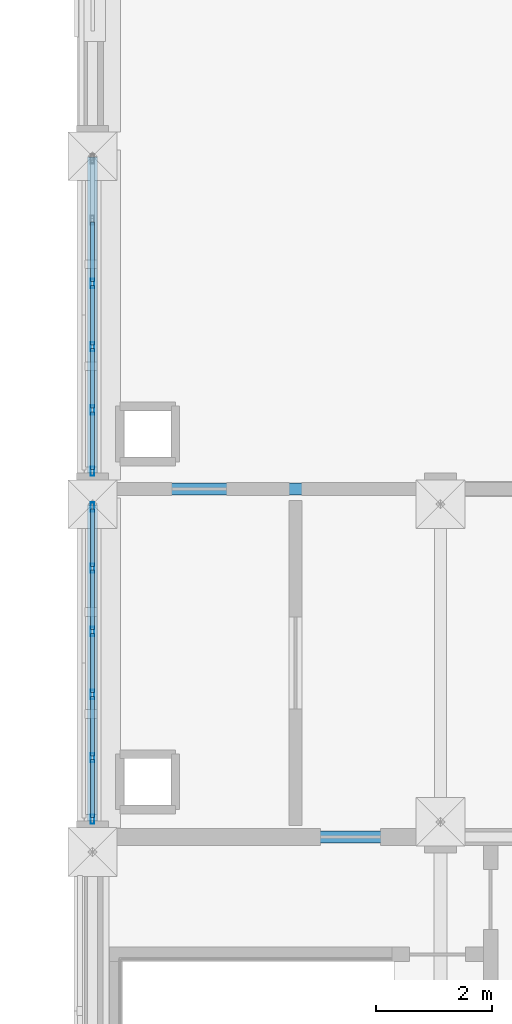
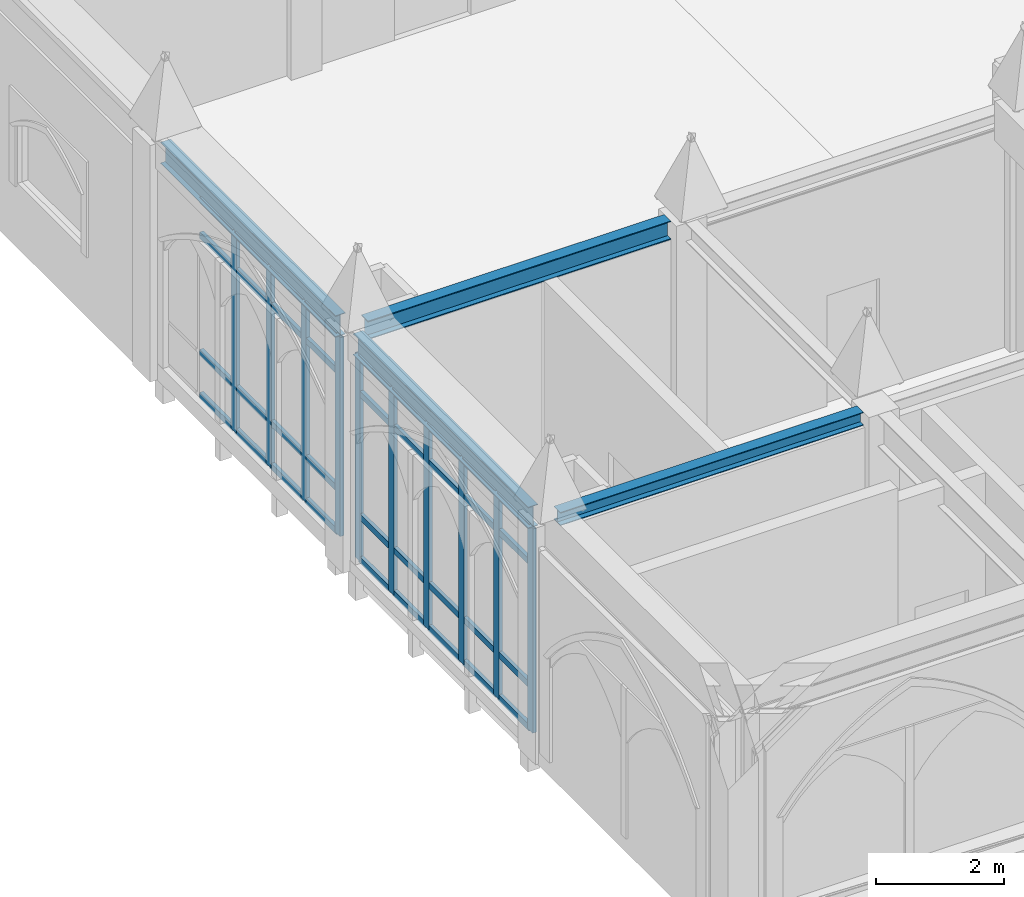
# One storey, part 37 of 108: 46 members, 4 beams, 2 elements without a shape of their own.
"""IFC4 building model written with IfcOpenShell, lengths in metres."""

from ifc_helpers import new_model, si_unit, direction, frame, origin, origin_2d, place, context, subcontext, project, spatial, hollow_rectangle, i_section, extrude, material, layer, layer_set, material_profile, profile_set, type_object, element, aggregate, save


model = new_model("IFC4")

# Units and contexts
model_context = context("Model", 3, precision=1e-05, world=origin(), true_north=direction((0.0, 1.0)))
body_context = subcontext(model_context, "Body", "Model", "MODEL_VIEW")
ifc_project = project(units=[si_unit("LENGTHUNIT", "METRE"), si_unit("AREAUNIT", "SQUARE_METRE"), si_unit("VOLUMEUNIT", "CUBIC_METRE"), si_unit("PLANEANGLEUNIT", "RADIAN"), si_unit("MASSUNIT", "GRAM", prefix="KILO")], contexts=[model_context])

# Site, building, storey
site_placement = place(None, origin())
site = spatial("IfcSite", under=ifc_project, at=site_placement, CompositionType="ELEMENT")
building_placement = place(site_placement, origin())
building = spatial("IfcBuilding", under=site, at=building_placement, Name="Cumevento Cable Car Station", CompositionType="ELEMENT")
storey_placement = place(building_placement, frame((0.0, 0.0, 13.5)))
storey = spatial("IfcBuildingStorey", under=building, at=storey_placement, Name="L04", CompositionType="ELEMENT", Elevation=13.5)

# Curtain wall, members
ifc_material_1 = material(Name="Anodised Bronze Aluminium AW-6063-T6", Category="aluminium")
ifc_layer_1 = layer(ifc_material_1, 0.166015625)
ifc_layer_set_1 = layer_set([ifc_layer_1], Name="Anodised Bronze Aluminium AW-6063-T6")
curtain_wall_type_1 = type_object("IfcCurtainWallType", Name="Lancet Curtain Wall CW-02 1090", PredefinedType="NOTDEFINED", material=ifc_layer_set_1)
curtain_wall_1_placement = place(storey_placement, origin())
curtain_wall_1 = element("IfcCurtainWall", 1, at=curtain_wall_1_placement, inside=storey, type_object=curtain_wall_type_1, Name="Lancet Curtain Wall CW-02 L04 #177", PredefinedType="NOTDEFINED")
ifc_material_2 = material(Name="Anodised Bronze Aluminium AW-6063-T6", Category="aluminium")
ifc_material_profile_1 = material_profile(ifc_material_2, hollow_rectangle(XDim=0.06494140625, YDim=0.159912109375, WallThickness=0.00390625, at=origin_2d()), Name="ALUM65x160x4")
ifc_profile_set_1 = profile_set([ifc_material_profile_1], Name="Anodised Bronze Aluminium AW-6063-T6")
member_type_1 = type_object("IfcMemberType", Name="Curtain Mullion CWM-01 ALUM65x160x4", PredefinedType="MULLION", material=ifc_profile_set_1)
member_1_placement = place(storey_placement, frame((118.0, 27.3076171875, 0.2099609375), z_axis=(0.0, 0.0, 1.0), x_axis=(-1.0, 0.0, 0.0)))
member_1 = element("IfcMember", 2, at=member_1_placement, type_object=member_type_1, Name="CW-02 mullion 1", PredefinedType="MULLION", context=body_context, shape_type="SweptSolid", body=[
    extrude(hollow_rectangle(XDim=0.06494140625, YDim=0.159912109375, WallThickness=0.00390625, at=origin_2d()), origin(), (0.0, 0.0, 1.0), 3.883056640625),
])
member_2_placement = place(storey_placement, frame((118.0, 28.364990234375, 0.2099609375), z_axis=(0.0, 0.0, 1.0), x_axis=(-1.0, 0.0, 0.0)))
member_2 = element("IfcMember", 3, at=member_2_placement, type_object=member_type_1, Name="CW-02 mullion 2", PredefinedType="MULLION", context=body_context, shape_type="SweptSolid", body=[
    extrude(hollow_rectangle(XDim=0.06494140625, YDim=0.159912109375, WallThickness=0.00390625, at=origin_2d()), origin(), (0.0, 0.0, 1.0), 3.883056640625),
])
member_3_placement = place(storey_placement, frame((118.0, 29.455078125, 0.2099609375), z_axis=(0.0, 0.0, 1.0), x_axis=(-1.0, 0.0, 0.0)))
member_3 = element("IfcMember", 4, at=member_3_placement, type_object=member_type_1, Name="CW-02 mullion 3", PredefinedType="MULLION", context=body_context, shape_type="SweptSolid", body=[
    extrude(hollow_rectangle(XDim=0.06494140625, YDim=0.159912109375, WallThickness=0.00390625, at=origin_2d()), origin(), (0.0, 0.0, 1.0), 3.883056640625),
])
member_4_placement = place(storey_placement, frame((118.0, 30.544921875, 0.2099609375), z_axis=(0.0, 0.0, 1.0), x_axis=(-1.0, 0.0, 0.0)))
member_4 = element("IfcMember", 5, at=member_4_placement, type_object=member_type_1, Name="CW-02 mullion 4", PredefinedType="MULLION", context=body_context, shape_type="SweptSolid", body=[
    extrude(hollow_rectangle(XDim=0.06494140625, YDim=0.159912109375, WallThickness=0.00390625, at=origin_2d()), origin(), (0.0, 0.0, 1.0), 3.883056640625),
])
member_5_placement = place(storey_placement, frame((118.0, 31.635009765625, 0.2099609375), z_axis=(0.0, 0.0, 1.0), x_axis=(-1.0, 0.0, 0.0)))
member_5 = element("IfcMember", 6, at=member_5_placement, type_object=member_type_1, Name="CW-02 mullion 5", PredefinedType="MULLION", context=body_context, shape_type="SweptSolid", body=[
    extrude(hollow_rectangle(XDim=0.06494140625, YDim=0.159912109375, WallThickness=0.00390625, at=origin_2d()), origin(), (0.0, 0.0, 1.0), 3.883056640625),
])
member_6_placement = place(storey_placement, frame((118.0, 32.6923828125, 0.2099609375), z_axis=(0.0, 0.0, 1.0), x_axis=(-1.0, 0.0, 0.0)))
member_6 = element("IfcMember", 7, at=member_6_placement, type_object=member_type_1, Name="CW-02 mullion 6", PredefinedType="MULLION", context=body_context, shape_type="SweptSolid", body=[
    extrude(hollow_rectangle(XDim=0.06494140625, YDim=0.159912109375, WallThickness=0.00390625, at=origin_2d()), origin(), (0.0, 0.0, 1.0), 3.883056640625),
])

ifc_material_3 = material(Name="Anodised Bronze Aluminium AW-6063-T6", Category="aluminium")
ifc_layer_2 = layer(ifc_material_3, 0.177978515625)
ifc_layer_set_2 = layer_set([ifc_layer_2], Name="Anodised Bronze Aluminium AW-6063-T6")
curtain_wall_type_2 = type_object("IfcCurtainWallType", Name="Lancet Curtain Wall CW-04 1170", PredefinedType="NOTDEFINED", material=ifc_layer_set_2)
curtain_wall_2_placement = place(storey_placement, origin())
curtain_wall_2 = element("IfcCurtainWall", 8, at=curtain_wall_2_placement, inside=storey, type_object=curtain_wall_type_2, Name="Lancet Curtain Wall CW-04 L04 #179", PredefinedType="NOTDEFINED")
member_7_placement = place(storey_placement, frame((118.0, 33.3076171875, 0.31005859375), z_axis=(0.0, 0.0, 1.0), x_axis=(-1.0, 0.0, 0.0)))
member_7 = element("IfcMember", 9, at=member_7_placement, type_object=member_type_1, Name="CW-04 mullion 1", PredefinedType="MULLION", context=body_context, shape_type="SweptSolid", body=[
    extrude(hollow_rectangle(XDim=0.06494140625, YDim=0.159912109375, WallThickness=0.00390625, at=origin_2d()), origin(), (0.0, 0.0, 1.0), 3.782958984375),
])
member_8_placement = place(storey_placement, frame((118.0, 34.364990234375, 0.31005859375), z_axis=(0.0, 0.0, 1.0), x_axis=(-1.0, 0.0, 0.0)))
member_8 = element("IfcMember", 10, at=member_8_placement, type_object=member_type_1, Name="CW-04 mullion 2", PredefinedType="MULLION", context=body_context, shape_type="SweptSolid", body=[
    extrude(hollow_rectangle(XDim=0.06494140625, YDim=0.159912109375, WallThickness=0.00390625, at=origin_2d()), origin(), (0.0, 0.0, 1.0), 3.782958984375),
])
member_9_placement = place(storey_placement, frame((118.0, 35.455078125, 0.31005859375), z_axis=(0.0, 0.0, 1.0), x_axis=(-1.0, 0.0, 0.0)))
member_9 = element("IfcMember", 11, at=member_9_placement, type_object=member_type_1, Name="CW-04 mullion 3", PredefinedType="MULLION", context=body_context, shape_type="SweptSolid", body=[
    extrude(hollow_rectangle(XDim=0.06494140625, YDim=0.159912109375, WallThickness=0.00390625, at=origin_2d()), origin(), (0.0, 0.0, 1.0), 3.782958984375),
])
member_10_placement = place(storey_placement, frame((118.0, 36.544921875, 0.31005859375), z_axis=(0.0, 0.0, 1.0), x_axis=(-1.0, 0.0, 0.0)))
member_10 = element("IfcMember", 12, at=member_10_placement, type_object=member_type_1, Name="CW-04 mullion 4", PredefinedType="MULLION", context=body_context, shape_type="SweptSolid", body=[
    extrude(hollow_rectangle(XDim=0.06494140625, YDim=0.159912109375, WallThickness=0.00390625, at=origin_2d()), origin(), (0.0, 0.0, 1.0), 3.782958984375),
])

# Member
ifc_material_4 = material(Name="Anodised Bronze Aluminium AW-6063-T6", Category="aluminium")
ifc_material_profile_2 = material_profile(ifc_material_4, hollow_rectangle(XDim=0.06494140625, YDim=0.1201171875, WallThickness=0.00390625, at=origin_2d()), Name="ALUT65x120x4")
ifc_profile_set_2 = profile_set([ifc_material_profile_2], Name="Anodised Bronze Aluminium AW-6063-T6")
member_type_2 = type_object("IfcMemberType", Name="Curtain Transom CWT-01 ALUT65x120x4", PredefinedType="USERDEFINED", material=ifc_profile_set_2)
member_11_placement = place(storey_placement, frame((118.0, 27.340087890625, 0.242431640625), z_axis=(0.0, 1.0, 0.0), x_axis=(-1.0, 0.0, 0.0)))
member_11 = element("IfcMember", 13, at=member_11_placement, type_object=member_type_2, Name="CW-02 transom 1.1", ObjectType="TRANSOM", PredefinedType="USERDEFINED", context=body_context, shape_type="SweptSolid", body=[
    extrude(hollow_rectangle(XDim=0.06494140625, YDim=0.1201171875, WallThickness=0.00390625, at=origin_2d()), origin(), (0.0, 0.0, 1.0), 0.992431640625),
])

member_12_placement = place(storey_placement, frame((118.0, 27.340087890625, 1.06005859375), z_axis=(0.0, 1.0, 0.0), x_axis=(-1.0, 0.0, 0.0)))
member_12 = element("IfcMember", 14, at=member_12_placement, type_object=member_type_2, Name="CW-02 transom 1.2", ObjectType="TRANSOM", PredefinedType="USERDEFINED", context=body_context, shape_type="SweptSolid", body=[
    extrude(hollow_rectangle(XDim=0.06494140625, YDim=0.1201171875, WallThickness=0.00390625, at=origin_2d()), origin(), (0.0, 0.0, 1.0), 0.992431640625),
])

member_13_placement = place(storey_placement, frame((118.0, 27.340087890625, 3.39306640625), z_axis=(0.0, 1.0, 0.0), x_axis=(-1.0, 0.0, 0.0)))
member_13 = element("IfcMember", 15, at=member_13_placement, type_object=member_type_2, Name="CW-02 transom 1.3", ObjectType="TRANSOM", PredefinedType="USERDEFINED", context=body_context, shape_type="SweptSolid", body=[
    extrude(hollow_rectangle(XDim=0.06494140625, YDim=0.1201171875, WallThickness=0.00390625, at=origin_2d()), origin(), (0.0, 0.0, 1.0), 0.992431640625),
])

member_14_placement = place(storey_placement, frame((118.0, 27.340087890625, 4.060546875), z_axis=(0.0, 1.0, 0.0), x_axis=(-1.0, 0.0, 0.0)))
member_14 = element("IfcMember", 16, at=member_14_placement, type_object=member_type_2, Name="CW-02 transom 1.4", ObjectType="TRANSOM", PredefinedType="USERDEFINED", context=body_context, shape_type="SweptSolid", body=[
    extrude(hollow_rectangle(XDim=0.06494140625, YDim=0.1201171875, WallThickness=0.00390625, at=origin_2d()), origin(), (0.0, 0.0, 1.0), 0.992431640625),
])

member_15_placement = place(storey_placement, frame((118.0, 28.3974609375, 0.242431640625), z_axis=(0.0, 1.0, 0.0), x_axis=(-1.0, 0.0, 0.0)))
member_15 = element("IfcMember", 17, at=member_15_placement, type_object=member_type_2, Name="CW-02 transom 2.1", ObjectType="TRANSOM", PredefinedType="USERDEFINED", context=body_context, shape_type="SweptSolid", body=[
    extrude(hollow_rectangle(XDim=0.06494140625, YDim=0.1201171875, WallThickness=0.00390625, at=origin_2d()), origin(), (0.0, 0.0, 1.0), 1.025146484375),
])

member_16_placement = place(storey_placement, frame((118.0, 28.3974609375, 1.06005859375), z_axis=(0.0, 1.0, 0.0), x_axis=(-1.0, 0.0, 0.0)))
member_16 = element("IfcMember", 18, at=member_16_placement, type_object=member_type_2, Name="CW-02 transom 2.2", ObjectType="TRANSOM", PredefinedType="USERDEFINED", context=body_context, shape_type="SweptSolid", body=[
    extrude(hollow_rectangle(XDim=0.06494140625, YDim=0.1201171875, WallThickness=0.00390625, at=origin_2d()), origin(), (0.0, 0.0, 1.0), 1.025146484375),
])

member_17_placement = place(storey_placement, frame((118.0, 28.3974609375, 3.39306640625), z_axis=(0.0, 1.0, 0.0), x_axis=(-1.0, 0.0, 0.0)))
member_17 = element("IfcMember", 19, at=member_17_placement, type_object=member_type_2, Name="CW-02 transom 2.3", ObjectType="TRANSOM", PredefinedType="USERDEFINED", context=body_context, shape_type="SweptSolid", body=[
    extrude(hollow_rectangle(XDim=0.06494140625, YDim=0.1201171875, WallThickness=0.00390625, at=origin_2d()), origin(), (0.0, 0.0, 1.0), 1.025146484375),
])

member_18_placement = place(storey_placement, frame((118.0, 28.3974609375, 4.060546875), z_axis=(0.0, 1.0, 0.0), x_axis=(-1.0, 0.0, 0.0)))
member_18 = element("IfcMember", 20, at=member_18_placement, type_object=member_type_2, Name="CW-02 transom 2.4", ObjectType="TRANSOM", PredefinedType="USERDEFINED", context=body_context, shape_type="SweptSolid", body=[
    extrude(hollow_rectangle(XDim=0.06494140625, YDim=0.1201171875, WallThickness=0.00390625, at=origin_2d()), origin(), (0.0, 0.0, 1.0), 1.025146484375),
])

member_19_placement = place(storey_placement, frame((118.0, 29.487548828125, 0.242431640625), z_axis=(0.0, 1.0, 0.0), x_axis=(-1.0, 0.0, 0.0)))
member_19 = element("IfcMember", 21, at=member_19_placement, type_object=member_type_2, Name="CW-02 transom 3.1", ObjectType="TRANSOM", PredefinedType="USERDEFINED", context=body_context, shape_type="SweptSolid", body=[
    extrude(hollow_rectangle(XDim=0.06494140625, YDim=0.1201171875, WallThickness=0.00390625, at=origin_2d()), origin(), (0.0, 0.0, 1.0), 1.02490234375),
])

member_20_placement = place(storey_placement, frame((118.0, 29.487548828125, 1.06005859375), z_axis=(0.0, 1.0, 0.0), x_axis=(-1.0, 0.0, 0.0)))
member_20 = element("IfcMember", 22, at=member_20_placement, type_object=member_type_2, Name="CW-02 transom 3.2", ObjectType="TRANSOM", PredefinedType="USERDEFINED", context=body_context, shape_type="SweptSolid", body=[
    extrude(hollow_rectangle(XDim=0.06494140625, YDim=0.1201171875, WallThickness=0.00390625, at=origin_2d()), origin(), (0.0, 0.0, 1.0), 1.02490234375),
])

member_21_placement = place(storey_placement, frame((118.0, 29.487548828125, 3.39306640625), z_axis=(0.0, 1.0, 0.0), x_axis=(-1.0, 0.0, 0.0)))
member_21 = element("IfcMember", 23, at=member_21_placement, type_object=member_type_2, Name="CW-02 transom 3.3", ObjectType="TRANSOM", PredefinedType="USERDEFINED", context=body_context, shape_type="SweptSolid", body=[
    extrude(hollow_rectangle(XDim=0.06494140625, YDim=0.1201171875, WallThickness=0.00390625, at=origin_2d()), origin(), (0.0, 0.0, 1.0), 1.02490234375),
])

member_22_placement = place(storey_placement, frame((118.0, 29.487548828125, 4.060546875), z_axis=(0.0, 1.0, 0.0), x_axis=(-1.0, 0.0, 0.0)))
member_22 = element("IfcMember", 24, at=member_22_placement, type_object=member_type_2, Name="CW-02 transom 3.4", ObjectType="TRANSOM", PredefinedType="USERDEFINED", context=body_context, shape_type="SweptSolid", body=[
    extrude(hollow_rectangle(XDim=0.06494140625, YDim=0.1201171875, WallThickness=0.00390625, at=origin_2d()), origin(), (0.0, 0.0, 1.0), 1.02490234375),
])

member_23_placement = place(storey_placement, frame((118.0, 30.577392578125, 0.242431640625), z_axis=(0.0, 1.0, 0.0), x_axis=(-1.0, 0.0, 0.0)))
member_23 = element("IfcMember", 25, at=member_23_placement, type_object=member_type_2, Name="CW-02 transom 4.1", ObjectType="TRANSOM", PredefinedType="USERDEFINED", context=body_context, shape_type="SweptSolid", body=[
    extrude(hollow_rectangle(XDim=0.06494140625, YDim=0.1201171875, WallThickness=0.00390625, at=origin_2d()), origin(), (0.0, 0.0, 1.0), 1.025146484375),
])

member_24_placement = place(storey_placement, frame((118.0, 30.577392578125, 1.06005859375), z_axis=(0.0, 1.0, 0.0), x_axis=(-1.0, 0.0, 0.0)))
member_24 = element("IfcMember", 26, at=member_24_placement, type_object=member_type_2, Name="CW-02 transom 4.2", ObjectType="TRANSOM", PredefinedType="USERDEFINED", context=body_context, shape_type="SweptSolid", body=[
    extrude(hollow_rectangle(XDim=0.06494140625, YDim=0.1201171875, WallThickness=0.00390625, at=origin_2d()), origin(), (0.0, 0.0, 1.0), 1.025146484375),
])

member_25_placement = place(storey_placement, frame((118.0, 30.577392578125, 3.39306640625), z_axis=(0.0, 1.0, 0.0), x_axis=(-1.0, 0.0, 0.0)))
member_25 = element("IfcMember", 27, at=member_25_placement, type_object=member_type_2, Name="CW-02 transom 4.3", ObjectType="TRANSOM", PredefinedType="USERDEFINED", context=body_context, shape_type="SweptSolid", body=[
    extrude(hollow_rectangle(XDim=0.06494140625, YDim=0.1201171875, WallThickness=0.00390625, at=origin_2d()), origin(), (0.0, 0.0, 1.0), 1.025146484375),
])

member_26_placement = place(storey_placement, frame((118.0, 30.577392578125, 4.060546875), z_axis=(0.0, 1.0, 0.0), x_axis=(-1.0, 0.0, 0.0)))
member_26 = element("IfcMember", 28, at=member_26_placement, type_object=member_type_2, Name="CW-02 transom 4.4", ObjectType="TRANSOM", PredefinedType="USERDEFINED", context=body_context, shape_type="SweptSolid", body=[
    extrude(hollow_rectangle(XDim=0.06494140625, YDim=0.1201171875, WallThickness=0.00390625, at=origin_2d()), origin(), (0.0, 0.0, 1.0), 1.025146484375),
])

member_27_placement = place(storey_placement, frame((118.0, 31.66748046875, 0.242431640625), z_axis=(0.0, 1.0, 0.0), x_axis=(-1.0, 0.0, 0.0)))
member_27 = element("IfcMember", 29, at=member_27_placement, type_object=member_type_2, Name="CW-02 transom 5.1", ObjectType="TRANSOM", PredefinedType="USERDEFINED", context=body_context, shape_type="SweptSolid", body=[
    extrude(hollow_rectangle(XDim=0.06494140625, YDim=0.1201171875, WallThickness=0.00390625, at=origin_2d()), origin(), (0.0, 0.0, 1.0), 0.992431640625),
])

member_28_placement = place(storey_placement, frame((118.0, 31.66748046875, 1.06005859375), z_axis=(0.0, 1.0, 0.0), x_axis=(-1.0, 0.0, 0.0)))
member_28 = element("IfcMember", 30, at=member_28_placement, type_object=member_type_2, Name="CW-02 transom 5.2", ObjectType="TRANSOM", PredefinedType="USERDEFINED", context=body_context, shape_type="SweptSolid", body=[
    extrude(hollow_rectangle(XDim=0.06494140625, YDim=0.1201171875, WallThickness=0.00390625, at=origin_2d()), origin(), (0.0, 0.0, 1.0), 0.992431640625),
])

member_29_placement = place(storey_placement, frame((118.0, 31.66748046875, 3.39306640625), z_axis=(0.0, 1.0, 0.0), x_axis=(-1.0, 0.0, 0.0)))
member_29 = element("IfcMember", 31, at=member_29_placement, type_object=member_type_2, Name="CW-02 transom 5.3", ObjectType="TRANSOM", PredefinedType="USERDEFINED", context=body_context, shape_type="SweptSolid", body=[
    extrude(hollow_rectangle(XDim=0.06494140625, YDim=0.1201171875, WallThickness=0.00390625, at=origin_2d()), origin(), (0.0, 0.0, 1.0), 0.992431640625),
])

member_30_placement = place(storey_placement, frame((118.0, 31.66748046875, 4.060546875), z_axis=(0.0, 1.0, 0.0), x_axis=(-1.0, 0.0, 0.0)))
member_30 = element("IfcMember", 32, at=member_30_placement, type_object=member_type_2, Name="CW-02 transom 5.4", ObjectType="TRANSOM", PredefinedType="USERDEFINED", context=body_context, shape_type="SweptSolid", body=[
    extrude(hollow_rectangle(XDim=0.06494140625, YDim=0.1201171875, WallThickness=0.00390625, at=origin_2d()), origin(), (0.0, 0.0, 1.0), 0.992431640625),
])

aggregate(curtain_wall_1, [member_1, member_2, member_3, member_4, member_5, member_6, member_11, member_12, member_13, member_14, member_15, member_16, member_17, member_18, member_19, member_20, member_21, member_22, member_23, member_24, member_25, member_26, member_27, member_28, member_29, member_30])

member_31_placement = place(storey_placement, frame((118.0, 33.340087890625, 0.342529296875), z_axis=(0.0, 1.0, 0.0), x_axis=(-1.0, 0.0, 0.0)))
member_31 = element("IfcMember", 33, at=member_31_placement, type_object=member_type_2, Name="CW-04 transom 1.1", ObjectType="TRANSOM", PredefinedType="USERDEFINED", context=body_context, shape_type="SweptSolid", body=[
    extrude(hollow_rectangle(XDim=0.06494140625, YDim=0.1201171875, WallThickness=0.00390625, at=origin_2d()), origin(), (0.0, 0.0, 1.0), 0.992431640625),
])

member_32_placement = place(storey_placement, frame((118.0, 33.340087890625, 1.159912109375), z_axis=(0.0, 1.0, 0.0), x_axis=(-1.0, 0.0, 0.0)))
member_32 = element("IfcMember", 34, at=member_32_placement, type_object=member_type_2, Name="CW-04 transom 1.2", ObjectType="TRANSOM", PredefinedType="USERDEFINED", context=body_context, shape_type="SweptSolid", body=[
    extrude(hollow_rectangle(XDim=0.06494140625, YDim=0.1201171875, WallThickness=0.00390625, at=origin_2d()), origin(), (0.0, 0.0, 1.0), 0.992431640625),
])

member_33_placement = place(storey_placement, frame((118.0, 33.340087890625, 3.39306640625), z_axis=(0.0, 1.0, 0.0), x_axis=(-1.0, 0.0, 0.0)))
member_33 = element("IfcMember", 35, at=member_33_placement, type_object=member_type_2, Name="CW-04 transom 1.3", ObjectType="TRANSOM", PredefinedType="USERDEFINED", context=body_context, shape_type="SweptSolid", body=[
    extrude(hollow_rectangle(XDim=0.06494140625, YDim=0.1201171875, WallThickness=0.00390625, at=origin_2d()), origin(), (0.0, 0.0, 1.0), 0.992431640625),
])

member_34_placement = place(storey_placement, frame((118.0, 33.340087890625, 4.060546875), z_axis=(0.0, 1.0, 0.0), x_axis=(-1.0, 0.0, 0.0)))
member_34 = element("IfcMember", 36, at=member_34_placement, type_object=member_type_2, Name="CW-04 transom 1.4", ObjectType="TRANSOM", PredefinedType="USERDEFINED", context=body_context, shape_type="SweptSolid", body=[
    extrude(hollow_rectangle(XDim=0.06494140625, YDim=0.1201171875, WallThickness=0.00390625, at=origin_2d()), origin(), (0.0, 0.0, 1.0), 0.992431640625),
])

member_35_placement = place(storey_placement, frame((118.0, 34.3974609375, 0.342529296875), z_axis=(0.0, 1.0, 0.0), x_axis=(-1.0, 0.0, 0.0)))
member_35 = element("IfcMember", 37, at=member_35_placement, type_object=member_type_2, Name="CW-04 transom 2.1", ObjectType="TRANSOM", PredefinedType="USERDEFINED", context=body_context, shape_type="SweptSolid", body=[
    extrude(hollow_rectangle(XDim=0.06494140625, YDim=0.1201171875, WallThickness=0.00390625, at=origin_2d()), origin(), (0.0, 0.0, 1.0), 1.025146484375),
])

member_36_placement = place(storey_placement, frame((118.0, 34.3974609375, 1.159912109375), z_axis=(0.0, 1.0, 0.0), x_axis=(-1.0, 0.0, 0.0)))
member_36 = element("IfcMember", 38, at=member_36_placement, type_object=member_type_2, Name="CW-04 transom 2.2", ObjectType="TRANSOM", PredefinedType="USERDEFINED", context=body_context, shape_type="SweptSolid", body=[
    extrude(hollow_rectangle(XDim=0.06494140625, YDim=0.1201171875, WallThickness=0.00390625, at=origin_2d()), origin(), (0.0, 0.0, 1.0), 1.025146484375),
])

member_37_placement = place(storey_placement, frame((118.0, 34.3974609375, 3.39306640625), z_axis=(0.0, 1.0, 0.0), x_axis=(-1.0, 0.0, 0.0)))
member_37 = element("IfcMember", 39, at=member_37_placement, type_object=member_type_2, Name="CW-04 transom 2.3", ObjectType="TRANSOM", PredefinedType="USERDEFINED", context=body_context, shape_type="SweptSolid", body=[
    extrude(hollow_rectangle(XDim=0.06494140625, YDim=0.1201171875, WallThickness=0.00390625, at=origin_2d()), origin(), (0.0, 0.0, 1.0), 1.025146484375),
])

member_38_placement = place(storey_placement, frame((118.0, 34.3974609375, 4.060546875), z_axis=(0.0, 1.0, 0.0), x_axis=(-1.0, 0.0, 0.0)))
member_38 = element("IfcMember", 40, at=member_38_placement, type_object=member_type_2, Name="CW-04 transom 2.4", ObjectType="TRANSOM", PredefinedType="USERDEFINED", context=body_context, shape_type="SweptSolid", body=[
    extrude(hollow_rectangle(XDim=0.06494140625, YDim=0.1201171875, WallThickness=0.00390625, at=origin_2d()), origin(), (0.0, 0.0, 1.0), 1.025146484375),
])

member_39_placement = place(storey_placement, frame((118.0, 35.487548828125, 0.342529296875), z_axis=(0.0, 1.0, 0.0), x_axis=(-1.0, 0.0, 0.0)))
member_39 = element("IfcMember", 41, at=member_39_placement, type_object=member_type_2, Name="CW-04 transom 3.1", ObjectType="TRANSOM", PredefinedType="USERDEFINED", context=body_context, shape_type="SweptSolid", body=[
    extrude(hollow_rectangle(XDim=0.06494140625, YDim=0.1201171875, WallThickness=0.00390625, at=origin_2d()), origin(), (0.0, 0.0, 1.0), 1.02490234375),
])

member_40_placement = place(storey_placement, frame((118.0, 35.487548828125, 1.159912109375), z_axis=(0.0, 1.0, 0.0), x_axis=(-1.0, 0.0, 0.0)))
member_40 = element("IfcMember", 42, at=member_40_placement, type_object=member_type_2, Name="CW-04 transom 3.2", ObjectType="TRANSOM", PredefinedType="USERDEFINED", context=body_context, shape_type="SweptSolid", body=[
    extrude(hollow_rectangle(XDim=0.06494140625, YDim=0.1201171875, WallThickness=0.00390625, at=origin_2d()), origin(), (0.0, 0.0, 1.0), 1.02490234375),
])

member_41_placement = place(storey_placement, frame((118.0, 35.487548828125, 3.39306640625), z_axis=(0.0, 1.0, 0.0), x_axis=(-1.0, 0.0, 0.0)))
member_41 = element("IfcMember", 43, at=member_41_placement, type_object=member_type_2, Name="CW-04 transom 3.3", ObjectType="TRANSOM", PredefinedType="USERDEFINED", context=body_context, shape_type="SweptSolid", body=[
    extrude(hollow_rectangle(XDim=0.06494140625, YDim=0.1201171875, WallThickness=0.00390625, at=origin_2d()), origin(), (0.0, 0.0, 1.0), 1.02490234375),
])

member_42_placement = place(storey_placement, frame((118.0, 35.487548828125, 4.060546875), z_axis=(0.0, 1.0, 0.0), x_axis=(-1.0, 0.0, 0.0)))
member_42 = element("IfcMember", 44, at=member_42_placement, type_object=member_type_2, Name="CW-04 transom 3.4", ObjectType="TRANSOM", PredefinedType="USERDEFINED", context=body_context, shape_type="SweptSolid", body=[
    extrude(hollow_rectangle(XDim=0.06494140625, YDim=0.1201171875, WallThickness=0.00390625, at=origin_2d()), origin(), (0.0, 0.0, 1.0), 1.02490234375),
])

member_43_placement = place(storey_placement, frame((118.0, 36.577392578125, 0.342529296875), z_axis=(0.0, 1.0, 0.0), x_axis=(-1.0, 0.0, 0.0)))
member_43 = element("IfcMember", 45, at=member_43_placement, type_object=member_type_2, Name="CW-04 transom 4.1", ObjectType="TRANSOM", PredefinedType="USERDEFINED", context=body_context, shape_type="SweptSolid", body=[
    extrude(hollow_rectangle(XDim=0.06494140625, YDim=0.1201171875, WallThickness=0.00390625, at=origin_2d()), origin(), (0.0, 0.0, 1.0), 1.025146484375),
])

member_44_placement = place(storey_placement, frame((118.0, 36.577392578125, 1.159912109375), z_axis=(0.0, 1.0, 0.0), x_axis=(-1.0, 0.0, 0.0)))
member_44 = element("IfcMember", 46, at=member_44_placement, type_object=member_type_2, Name="CW-04 transom 4.2", ObjectType="TRANSOM", PredefinedType="USERDEFINED", context=body_context, shape_type="SweptSolid", body=[
    extrude(hollow_rectangle(XDim=0.06494140625, YDim=0.1201171875, WallThickness=0.00390625, at=origin_2d()), origin(), (0.0, 0.0, 1.0), 1.025146484375),
])

member_45_placement = place(storey_placement, frame((118.0, 36.577392578125, 3.39306640625), z_axis=(0.0, 1.0, 0.0), x_axis=(-1.0, 0.0, 0.0)))
member_45 = element("IfcMember", 47, at=member_45_placement, type_object=member_type_2, Name="CW-04 transom 4.3", ObjectType="TRANSOM", PredefinedType="USERDEFINED", context=body_context, shape_type="SweptSolid", body=[
    extrude(hollow_rectangle(XDim=0.06494140625, YDim=0.1201171875, WallThickness=0.00390625, at=origin_2d()), origin(), (0.0, 0.0, 1.0), 1.025146484375),
])

member_46_placement = place(storey_placement, frame((118.0, 36.577392578125, 4.060546875), z_axis=(0.0, 1.0, 0.0), x_axis=(-1.0, 0.0, 0.0)))
member_46 = element("IfcMember", 48, at=member_46_placement, type_object=member_type_2, Name="CW-04 transom 4.4", ObjectType="TRANSOM", PredefinedType="USERDEFINED", context=body_context, shape_type="SweptSolid", body=[
    extrude(hollow_rectangle(XDim=0.06494140625, YDim=0.1201171875, WallThickness=0.00390625, at=origin_2d()), origin(), (0.0, 0.0, 1.0), 1.025146484375),
])

aggregate(curtain_wall_2, [member_7, member_8, member_9, member_10, member_31, member_32, member_33, member_34, member_35, member_36, member_37, member_38, member_39, member_40, member_41, member_42, member_43, member_44, member_45, member_46])

# Beams
ifc_material_5 = material(Name="Steel ASTM A572 Grade 50", Category="steel")
ifc_material_profile_3 = material_profile(ifc_material_5, i_section(OverallWidth=0.205078125, OverallDepth=0.35400390625, WebThickness=0.009521484375, FlangeThickness=0.016845703125, at=origin_2d()), Name="W360x79.0")
ifc_profile_set_3 = profile_set([ifc_material_profile_3], Name="Steel ASTM A572 Grade 50")
beam_type_1 = type_object("IfcBeamType", Name="Structural Beam BM-05 W360x79.0", PredefinedType="BEAM", material=ifc_profile_set_3)
beam_1_placement = place(storey_placement, frame((118.27490234375, 33.0, 4.322998046875), z_axis=(1.0, 0.0, 0.0), x_axis=(0.0, 1.0, 0.0)))
element("IfcBeam", 49, at=beam_1_placement, inside=storey, type_object=beam_type_1, Name="Beam BM-05 L04 #1458", PredefinedType="BEAM", context=body_context, shape_type="SweptSolid", body=[
    extrude(i_section(OverallWidth=0.205078125, OverallDepth=0.35400390625, WebThickness=0.009521484375, FlangeThickness=0.016845703125, at=origin_2d()), origin(), (0.0, 0.0, 1.0), 5.4501953125),
])
ifc_material_6 = material(Name="Steel ASTM A572 Grade 50", Category="steel")
ifc_material_profile_4 = material_profile(ifc_material_6, i_section(OverallWidth=0.202880859375, OverallDepth=0.251953125, WebThickness=0.008056640625, FlangeThickness=0.013427734375, at=origin_2d()), Name="W250x58.0")
ifc_profile_set_4 = profile_set([ifc_material_profile_4], Name="Steel ASTM A572 Grade 50")
beam_type_2 = type_object("IfcBeamType", Name="Structural Beam BM-08 W250x58.0", PredefinedType="BEAM", material=ifc_profile_set_4)
beam_2_placement = place(storey_placement, frame((118.27490234375, 27.0, 4.3740234375), z_axis=(1.0, 0.0, 0.0), x_axis=(0.0, 1.0, 0.0)))
element("IfcBeam", 50, at=beam_2_placement, inside=storey, type_object=beam_type_2, Name="Beam BM-08 L04 #1453", PredefinedType="BEAM", context=body_context, shape_type="SweptSolid", body=[
    extrude(i_section(OverallWidth=0.202880859375, OverallDepth=0.251953125, WebThickness=0.008056640625, FlangeThickness=0.013427734375, at=origin_2d()), origin(), (0.0, 0.0, 1.0), 5.4501953125),
])
ifc_material_7 = material(Name="Steel ASTM A572 Grade 50", Category="steel")
ifc_material_profile_5 = material_profile(ifc_material_7, i_section(OverallWidth=0.177978515625, OverallDepth=0.406982421875, WebThickness=0.0078125, FlangeThickness=0.0126953125, at=origin_2d()), Name="W410x60.0")
ifc_profile_set_5 = profile_set([ifc_material_profile_5], Name="Steel ASTM A572 Grade 50")
beam_type_3 = type_object("IfcBeamType", Name="Structural Spandrel SP-01 W410x60.0", PredefinedType="SPANDREL", material=ifc_profile_set_5)
for number, where, z_axis, x_axis, name in (
    (51, (118.0, 27.27490234375, 4.29638671875), (0.0, 1.0, 0.0), (-1.0, 0.0, 0.0), "Beam SP-01 L04 #1460"),
    (52, (118.0, 33.27490234375, 4.29638671875), (0.0, 1.0, 0.0), (-1.0, 0.0, 0.0), "Beam SP-01 L04 #1467"),
):
    element("IfcBeam", number, at=place(storey_placement, frame(where, z_axis=z_axis, x_axis=x_axis)), inside=storey, type_object=beam_type_3, Name=name, PredefinedType="SPANDREL", context=body_context, shape_type="SweptSolid", body=[
        extrude(i_section(OverallWidth=0.177978515625, OverallDepth=0.406982421875, WebThickness=0.0078125, FlangeThickness=0.0126953125, at=origin_2d()), origin(), (0.0, 0.0, 1.0), 5.4501953125),
    ])

save(model, "model.ifc")
